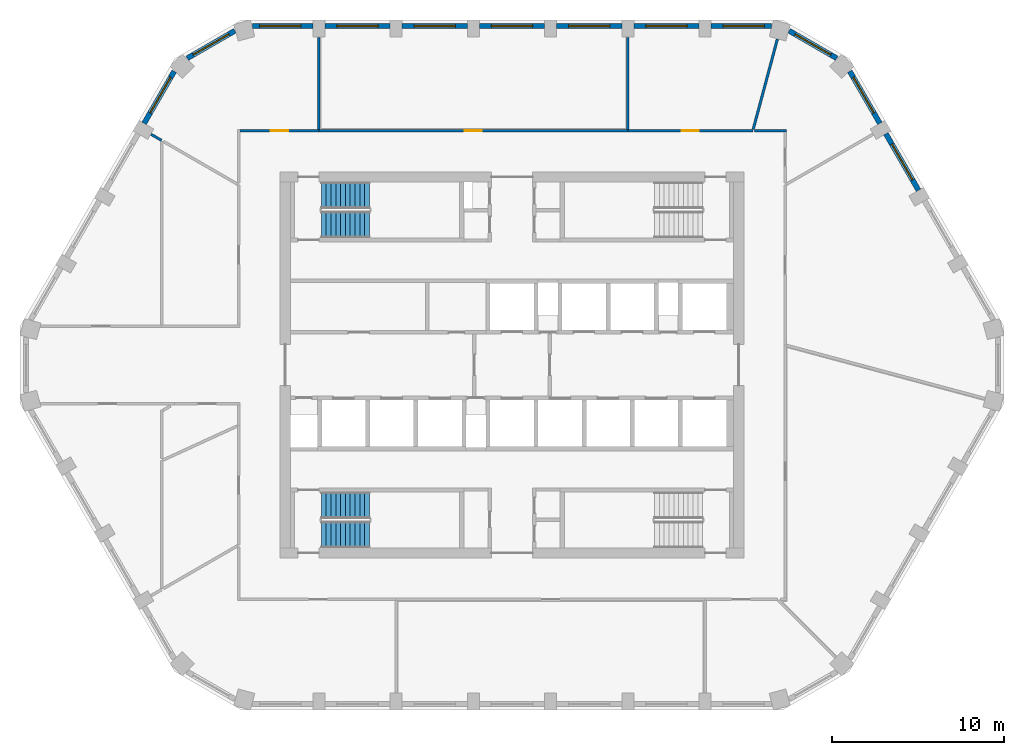
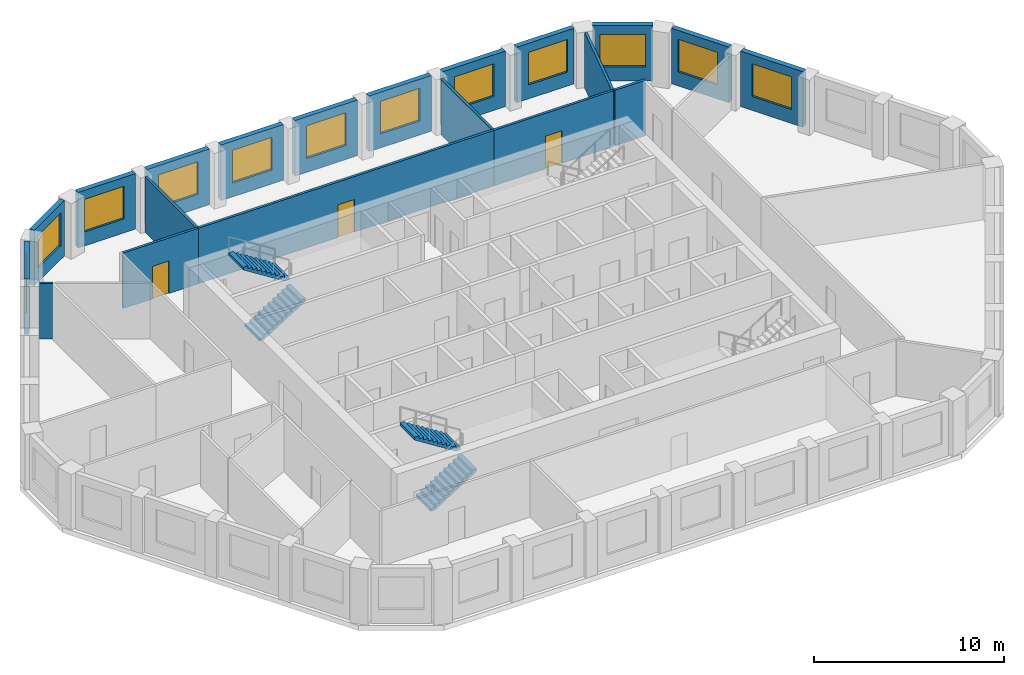
# One storey, part 6 of 10: 20 walls, 12 windows, 4 stair flights, 3 doors, 15 openings, 2 elements without a shape of their own.
"""IFC4 building model written with IfcOpenShell, lengths in metres."""

import ifcopenshell
import ifcopenshell.guid

model = None  # the IFC model being written
_history = None  # IfcOwnerHistory: only IFC2X3 demands one
_inside = {}  # id of a spatial element -> (the spatial element, [elements in it])
_under = {}  # id of a project, library or spatial element -> (it, [spatial elements below it])
_declared = {}  # id of a project -> (the project, [libraries it declares])
_typed = {}  # id of a type object -> (the type object, [elements of that type])
_made_of = {}  # id of a material, layer set ... -> (it, [elements and type objects made of it])


def new_model(schema):
    """Start an empty IFC model of exactly this schema.

    Asked for "IFC4X3", IfcOpenShell would pick the latest addendum, in which some entities
    have other attributes; the version numbers below select the first issue.
    IFC2X3 requires an IfcOwnerHistory on every rooted entity: one is made here for all.
    """
    global model, _history
    if schema == "IFC4X3":
        model = ifcopenshell.file(schema_version=(4, 3, 0, 0))
    else:
        model = ifcopenshell.file(schema=schema)
    _inside.clear()
    _under.clear()
    _declared.clear()
    _typed.clear()
    _made_of.clear()
    _history = None
    if model.schema == "IFC2X3":
        org = make("IfcOrganization", Name="unknown")
        user = make(
            "IfcPersonAndOrganization",
            ThePerson=make("IfcPerson", FamilyName="unknown"),
            TheOrganization=org,
        )
        app = make(
            "IfcApplication",
            ApplicationDeveloper=org,
            Version="unknown",
            ApplicationFullName="unknown",
            ApplicationIdentifier="unknown",
        )
        _history = make(
            "IfcOwnerHistory",
            OwningUser=user,
            OwningApplication=app,
            ChangeAction="ADDED",
            CreationDate=0,
        )
    return model


def make(cls, **values):
    """One entity of the class cls with the attributes given. An attribute that is None is left unset."""
    return model.create_entity(
        cls, **{name: value for name, value in values.items() if value is not None}
    )


def rooted(cls, **values):
    """An entity with a GlobalId (a new one), such as an element, a storey or a relation."""
    return make(cls, GlobalId=ifcopenshell.guid.new(), OwnerHistory=_history, **values)


def si_unit(unit_type, name, prefix=None):
    """IfcSIUnit, for example si_unit("LENGTHUNIT", "METRE", prefix="MILLI")."""
    return make("IfcSIUnit", UnitType=unit_type, Prefix=prefix, Name=name)


def assignment(units):
    """IfcUnitAssignment: the units of a project."""
    return None if units is None else make("IfcUnitAssignment", Units=units)


def point(xyz):
    """IfcCartesianPoint."""
    return None if xyz is None else make("IfcCartesianPoint", Coordinates=xyz)


def direction(xyz):
    """IfcDirection."""
    return None if xyz is None else make("IfcDirection", DirectionRatios=xyz)


def frame(location, z_axis=None, x_axis=None):
    """IfcAxis2Placement3D, a coordinate frame: its origin and axes. An axis left out is left unset."""
    return make(
        "IfcAxis2Placement3D",
        Location=point(location),
        Axis=direction(z_axis),
        RefDirection=direction(x_axis),
    )


def frame_2d(location, x_axis=None):
    """IfcAxis2Placement2D, a coordinate frame in the plane: its origin and x axis."""
    return make(
        "IfcAxis2Placement2D", Location=point(location), RefDirection=direction(x_axis)
    )


def origin():
    """The frame at (0, 0, 0) with its axes left unset."""
    return frame((0.0, 0.0, 0.0))


def place(relative_to, where):
    """IfcLocalPlacement: puts the frame where relative to a parent placement (None: the world)."""
    return make(
        "IfcLocalPlacement", PlacementRelTo=relative_to, RelativePlacement=where
    )


def context(
    kind, dimensions, precision=None, world=None, true_north=None, identifier=None
):
    """IfcGeometricRepresentationContext, for example the 3D "Model" context."""
    return make(
        "IfcGeometricRepresentationContext",
        ContextIdentifier=identifier,
        ContextType=kind,
        CoordinateSpaceDimension=dimensions,
        Precision=precision,
        WorldCoordinateSystem=world,
        TrueNorth=true_north,
    )


def subcontext(parent, identifier, kind, view, scale=None):
    """IfcGeometricRepresentationSubContext, for example "Body" below "Model"."""
    return make(
        "IfcGeometricRepresentationSubContext",
        ContextIdentifier=identifier,
        ContextType=kind,
        ParentContext=parent,
        TargetScale=scale,
        TargetView=view,
    )


def project(units=None, contexts=None):
    """IfcProject with its units and contexts."""
    return rooted(
        "IfcProject",
        Name="project",
        RepresentationContexts=contexts,
        UnitsInContext=assignment(units),
    )


def spatial(cls, under=None, at=None, **own):
    """A site, building, storey or space (cls), placed at a placement, below another one or the project."""
    s = rooted(cls, ObjectPlacement=at, **own)
    if under is not None:
        _under.setdefault(under.id(), (under, []))[1].append(s)
    return s


def polyline(points):
    """IfcPolyline through the points."""
    return make("IfcPolyline", Points=[point(p) for p in points])


def profile(cls, at=None, kind="AREA", **sizes):
    """A parametric profile (cls). Its sizes go by their IFC names, for example OverallWidth=200.0."""
    return make(cls, ProfileType=kind, Position=at, **sizes)


def rectangle(**sizes):
    """IfcRectangleProfileDef."""
    return profile("IfcRectangleProfileDef", **sizes)


def outline(outer, holes=None, kind="AREA"):
    """IfcArbitraryClosedProfileDef: a profile drawn as a closed curve; with holes, ...WithVoids."""
    if holes is None:
        return make("IfcArbitraryClosedProfileDef", ProfileType=kind, OuterCurve=outer)
    return make(
        "IfcArbitraryProfileDefWithVoids",
        ProfileType=kind,
        OuterCurve=outer,
        InnerCurves=holes,
    )


def extrude(swept, where, along, depth):
    """IfcExtrudedAreaSolid: the profile swept, set in the frame where, extruded along a direction by depth."""
    return make(
        "IfcExtrudedAreaSolid",
        SweptArea=swept,
        Position=where,
        ExtrudedDirection=direction(along),
        Depth=depth,
    )


def shape(context_of_items, identifier, shape_type, items):
    """IfcShapeRepresentation: the items that make up one representation, for example the "Body"."""
    return make(
        "IfcShapeRepresentation",
        ContextOfItems=context_of_items,
        RepresentationIdentifier=identifier,
        RepresentationType=shape_type,
        Items=items,
    )


def material(Name=None, Category=None):
    """IfcMaterial."""
    return make("IfcMaterial", Name=Name, Category=Category)


def layer(
    of_material, thickness, ventilated=None, Name=None, Category=None, Priority=None
):
    """IfcMaterialLayer: one layer of a wall or slab, of a material (None: an air gap)."""
    return make(
        "IfcMaterialLayer",
        Material=of_material,
        LayerThickness=thickness,
        IsVentilated=ventilated,
        Name=Name,
        Category=Category,
        Priority=Priority,
    )


def layer_set(layers, Name=None):
    """IfcMaterialLayerSet."""
    return make("IfcMaterialLayerSet", MaterialLayers=layers, LayerSetName=Name)


def made_of(thing, what):
    """Note that an element or type object is made of a material, layer set ...; save() writes the relation."""
    if what is not None:
        _made_of.setdefault(what.id(), (what, []))[1].append(thing)
    return thing


def type_object(cls, material=None, **own):
    """A type object (cls), such as IfcWallType, which elements share."""
    return made_of(rooted(cls, **own), material)


def element(
    cls,
    number,
    at=None,
    inside=None,
    cuts=None,
    type_object=None,
    material=None,
    context=None,
    identifier="Body",
    shape_type=None,
    held_by="IfcProductDefinitionShape",
    body=None,
    shapes=None,
    **own,
):
    """One element of the class cls, such as IfcWall. Its Tag is "e" and its number.

    at: its placement. inside: the storey or other place that contains it. cuts: it is an
    opening in that element (IfcRelVoidsElement). A single representation is given by context,
    identifier, shape_type and body (its items); several are given by shapes. held_by: the class
    of the entity that holds the representations. save() writes the other relations.
    """
    e = rooted(cls, Tag="e%d" % number, ObjectPlacement=at, **own)
    if body is not None:
        shapes = [shape(context, identifier, shape_type, body)]
    if shapes is not None:
        e.Representation = make(held_by, Representations=shapes)
    if inside is not None:
        _inside.setdefault(inside.id(), (inside, []))[1].append(e)
    if cuts is not None:
        rooted(
            "IfcRelVoidsElement", RelatingBuildingElement=cuts, RelatedOpeningElement=e
        )
    if type_object is not None:
        _typed.setdefault(type_object.id(), (type_object, []))[1].append(e)
    return made_of(e, material)


def fill(opening, filler):
    """IfcRelFillsElement: the door or window that sits in an opening."""
    return rooted(
        "IfcRelFillsElement",
        RelatingOpeningElement=opening,
        RelatedBuildingElement=filler,
    )


def aggregate(whole, parts):
    """IfcRelAggregates: a whole, such as a stair, and the parts it consists of."""
    return rooted("IfcRelAggregates", RelatingObject=whole, RelatedObjects=parts)


def save(model, path):
    """Write the relations noted so far, then the file.

    IfcRelAggregates (storeys below a building ...), IfcRelContainedInSpatialStructure (elements
    in a storey), IfcRelDefinesByType, IfcRelAssociatesMaterial and IfcRelDeclares: one each for
    every whole, place, type object, material and project.
    """
    for whole, parts in _under.values():
        aggregate(whole, parts)
    for where, things in _inside.values():
        rooted(
            "IfcRelContainedInSpatialStructure",
            RelatedElements=things,
            RelatingStructure=where,
        )
    for kind, things in _typed.values():
        rooted("IfcRelDefinesByType", RelatedObjects=things, RelatingType=kind)
    for what, things in _made_of.values():
        rooted("IfcRelAssociatesMaterial", RelatedObjects=things, RelatingMaterial=what)
    for by, libraries in _declared.values():
        rooted("IfcRelDeclares", RelatingContext=by, RelatedDefinitions=libraries)
    model.write(path)


model = new_model("IFC4")

# Units and contexts
model_context = context("Model", 3, precision=1e-05, world=origin(), true_north=direction((0.0, 1.0)))
body_context = subcontext(model_context, "Body", "Model", "MODEL_VIEW")
ifc_project = project(units=[si_unit("LENGTHUNIT", "METRE"), si_unit("AREAUNIT", "SQUARE_METRE"), si_unit("VOLUMEUNIT", "CUBIC_METRE"), si_unit("PLANEANGLEUNIT", "RADIAN"), si_unit("MASSUNIT", "GRAM", prefix="KILO")], contexts=[model_context])

# Site, building, storey
site_placement = place(None, origin())
site = spatial("IfcSite", under=ifc_project, at=site_placement, CompositionType="ELEMENT")
building_placement = place(site_placement, origin())
building = spatial("IfcBuilding", under=site, at=building_placement, Name="Dhurran Vertical Campus", CompositionType="ELEMENT")
storey_placement = place(building_placement, frame((0.0, 0.0, 239.10009765625)))
storey = spatial("IfcBuildingStorey", under=building, at=storey_placement, Name="L59", CompositionType="ELEMENT", Elevation=239.10009765625)

# Wall, opening, window
ifc_material_1 = material(Name="Precast concrete C50/60", Category="concrete")
ifc_layer_1 = layer(ifc_material_1, 0.300048828125)
ifc_layer_set_1 = layer_set([ifc_layer_1], Name="Precast concrete C50/60")
wall_type_1 = type_object("IfcWallType", Name="Precast spandrel wall 300", PredefinedType="SOLIDWALL", material=ifc_layer_set_1)
wall_1_placement = place(storey_placement, frame((23.668701171875, 10.1728515625, 0.0), z_axis=(0.0, 0.0, 1.0), x_axis=(-0.499982058975, 0.866035761792, 0.0)))
wall_1 = element("IfcWall", 1, at=wall_1_placement, inside=storey, type_object=wall_type_1, Name="EW1 L59.15", PredefinedType="SOLIDWALL", context=body_context, shape_type="SweptSolid", body=[
    extrude(rectangle(XDim=3.799072265625, YDim=0.300048828125, at=frame_2d((1.8994140625, 0.0))), origin(), (0.0, 0.0, 1.0), 3.574951171875),
])
opening_1_placement = place(wall_1_placement, frame((0.699462890625, 0.0, 0.89990234375)))
opening_1 = element("IfcOpeningElement", 2, at=opening_1_placement, cuts=wall_1, Name="Opening WT1", PredefinedType="OPENING", context=body_context, shape_type="SweptSolid", body=[
    extrude(rectangle(XDim=2.39990234375, YDim=2.10009765625, at=frame_2d((1.199951171875, 1.050048828125))), frame((0.0, 0.159912109375, 0.0), z_axis=(0.0, -1.0, 0.0), x_axis=(1.0, 0.0, 0.0)), (0.0, 0.0, 1.0), 0.320068359375),
])
ifc_material_2 = material(Name="Aluminium frame with solar-control glass", Category="aluminium")
window_type = type_object("IfcWindowType", Name="Punched window 2400 x 2100", PartitioningType="SINGLE_PANEL", PredefinedType="WINDOW", material=ifc_material_2)
window_1_placement = place(opening_1_placement, origin())
window_1 = element("IfcWindow", 3, at=window_1_placement, inside=storey, type_object=window_type, Name="WT1 L59.15", OverallHeight=2.10009765625, OverallWidth=2.39990234375, PartitioningType="SINGLE_PANEL", PredefinedType="WINDOW", context=body_context, shape_type="SweptSolid", body=[
    extrude(rectangle(XDim=2.39990234375, YDim=2.10009765625, at=frame_2d((1.199951171875, 1.050048828125))), frame((0.0, 0.030029296875, 0.0), z_axis=(0.0, -1.0, 0.0), x_axis=(1.0, 0.0, 0.0)), (0.0, 0.0, 1.0), 0.06005859375),
])
fill(opening_1, window_1)

wall_2_placement = place(storey_placement, frame((21.418701171875, 14.06982421875, 0.0), z_axis=(0.0, 0.0, 1.0), x_axis=(-0.499960102815, 0.866048437209, 0.0)))
wall_2 = element("IfcWall", 4, at=wall_2_placement, inside=storey, type_object=wall_type_1, Name="EW1 L59.16", PredefinedType="SOLIDWALL", context=body_context, shape_type="SweptSolid", body=[
    extrude(rectangle(XDim=3.497802734375, YDim=0.300048828125, at=frame_2d((1.7490234375, 0.0))), origin(), (0.0, 0.0, 1.0), 3.574951171875),
])
opening_2_placement = place(wall_2_placement, frame((0.699462890625, 0.0, 0.89990234375)))
opening_2 = element("IfcOpeningElement", 5, at=opening_2_placement, cuts=wall_2, Name="Opening WT1", PredefinedType="OPENING", context=body_context, shape_type="SweptSolid", body=[
    extrude(rectangle(XDim=2.39990234375, YDim=2.10009765625, at=frame_2d((1.199951171875, 1.050048828125))), frame((0.0, 0.159912109375, 0.0), z_axis=(0.0, -1.0, 0.0), x_axis=(1.0, 0.0, 0.0)), (0.0, 0.0, 1.0), 0.320068359375),
])
window_2_placement = place(opening_2_placement, origin())
window_2 = element("IfcWindow", 6, at=window_2_placement, inside=storey, type_object=window_type, Name="WT1 L59.16", OverallHeight=2.10009765625, OverallWidth=2.39990234375, PartitioningType="SINGLE_PANEL", PredefinedType="WINDOW", context=body_context, shape_type="SweptSolid", body=[
    extrude(rectangle(XDim=2.39990234375, YDim=2.10009765625, at=frame_2d((1.199951171875, 1.050048828125))), frame((0.0, 0.030029296875, 0.0), z_axis=(0.0, -1.0, 0.0), x_axis=(1.0, 0.0, 0.0)), (0.0, 0.0, 1.0), 0.06005859375),
])
fill(opening_2, window_2)

wall_3_placement = place(storey_placement, frame((18.90771484375, 17.861328125, 0.0), z_axis=(0.0, 0.0, 1.0), x_axis=(-0.866025316205, 0.500000151692, 0.0)))
wall_3 = element("IfcWall", 7, at=wall_3_placement, inside=storey, type_object=wall_type_1, Name="EW1 L59.17", PredefinedType="SOLIDWALL", context=body_context, shape_type="SweptSolid", body=[
    extrude(rectangle(XDim=3.1962890625, YDim=0.300048828125, at=frame_2d((1.59814453125, 0.0))), origin(), (0.0, 0.0, 1.0), 3.574951171875),
])
opening_3_placement = place(wall_3_placement, frame((0.398193359375, 0.0, 0.89990234375)))
opening_3 = element("IfcOpeningElement", 8, at=opening_3_placement, cuts=wall_3, Name="Opening WT1", PredefinedType="OPENING", context=body_context, shape_type="SweptSolid", body=[
    extrude(rectangle(XDim=2.39990234375, YDim=2.10009765625, at=frame_2d((1.199951171875, 1.050048828125))), frame((0.0, 0.159912109375, 0.0), z_axis=(0.0, -1.0, 0.0), x_axis=(1.0, 0.0, 0.0)), (0.0, 0.0, 1.0), 0.320068359375),
])
window_3_placement = place(opening_3_placement, origin())
window_3 = element("IfcWindow", 9, at=window_3_placement, inside=storey, type_object=window_type, Name="WT1 L59.17", OverallHeight=2.10009765625, OverallWidth=2.39990234375, PartitioningType="SINGLE_PANEL", PredefinedType="WINDOW", context=body_context, shape_type="SweptSolid", body=[
    extrude(rectangle(XDim=2.39990234375, YDim=2.10009765625, at=frame_2d((1.199951171875, 1.050048828125))), frame((0.0, 0.030029296875, 0.0), z_axis=(0.0, -1.0, 0.0), x_axis=(1.0, 0.0, 0.0)), (0.0, 0.0, 1.0), 0.06005859375),
])
fill(opening_3, window_3)

wall_4_placement = place(storey_placement, frame((15.09814453125, 19.738525390625, 0.0), z_axis=(0.0, 0.0, 1.0), x_axis=(-1.0, 0.0, 0.0)))
wall_4 = element("IfcWall", 10, at=wall_4_placement, inside=storey, type_object=wall_type_1, Name="EW1 L59.18", PredefinedType="SOLIDWALL", context=body_context, shape_type="SweptSolid", body=[
    extrude(rectangle(XDim=3.49755859375, YDim=0.300048828125, at=frame_2d((1.748779296875, 0.0))), origin(), (0.0, 0.0, 1.0), 3.574951171875),
])
opening_4_placement = place(wall_4_placement, frame((0.398193359375, 0.0, 0.89990234375)))
opening_4 = element("IfcOpeningElement", 11, at=opening_4_placement, cuts=wall_4, Name="Opening WT1", PredefinedType="OPENING", context=body_context, shape_type="SweptSolid", body=[
    extrude(rectangle(XDim=2.39990234375, YDim=2.10009765625, at=frame_2d((1.199951171875, 1.050048828125))), frame((0.0, 0.159912109375, 0.0), z_axis=(0.0, -1.0, 0.0), x_axis=(1.0, 0.0, 0.0)), (0.0, 0.0, 1.0), 0.320068359375),
])
window_4_placement = place(opening_4_placement, origin())
window_4 = element("IfcWindow", 12, at=window_4_placement, inside=storey, type_object=window_type, Name="WT1 L59.18", OverallHeight=2.10009765625, OverallWidth=2.39990234375, PartitioningType="SINGLE_PANEL", PredefinedType="WINDOW", context=body_context, shape_type="SweptSolid", body=[
    extrude(rectangle(XDim=2.39990234375, YDim=2.10009765625, at=frame_2d((1.199951171875, 1.050048828125))), frame((0.0, 0.030029296875, 0.0), z_axis=(0.0, -1.0, 0.0), x_axis=(1.0, 0.0, 0.0)), (0.0, 0.0, 1.0), 0.06005859375),
])
fill(opening_4, window_4)

wall_5_placement = place(storey_placement, frame((10.8994140625, 19.738525390625, 0.0), z_axis=(0.0, 0.0, 1.0), x_axis=(-1.0, 0.0, 0.0)))
wall_5 = element("IfcWall", 13, at=wall_5_placement, inside=storey, type_object=wall_type_1, Name="EW1 L59.19", PredefinedType="SOLIDWALL", context=body_context, shape_type="SweptSolid", body=[
    extrude(rectangle(XDim=3.798828125, YDim=0.300048828125, at=frame_2d((1.8994140625, 0.0))), origin(), (0.0, 0.0, 1.0), 3.574951171875),
])
opening_5_placement = place(wall_5_placement, frame((0.699462890625, 0.0, 0.89990234375)))
opening_5 = element("IfcOpeningElement", 14, at=opening_5_placement, cuts=wall_5, Name="Opening WT1", PredefinedType="OPENING", context=body_context, shape_type="SweptSolid", body=[
    extrude(rectangle(XDim=2.39990234375, YDim=2.10009765625, at=frame_2d((1.199951171875, 1.050048828125))), frame((0.0, 0.159912109375, 0.0), z_axis=(0.0, -1.0, 0.0), x_axis=(1.0, 0.0, 0.0)), (0.0, 0.0, 1.0), 0.320068359375),
])
window_5_placement = place(opening_5_placement, origin())
window_5 = element("IfcWindow", 15, at=window_5_placement, inside=storey, type_object=window_type, Name="WT1 L59.19", OverallHeight=2.10009765625, OverallWidth=2.39990234375, PartitioningType="SINGLE_PANEL", PredefinedType="WINDOW", context=body_context, shape_type="SweptSolid", body=[
    extrude(rectangle(XDim=2.39990234375, YDim=2.10009765625, at=frame_2d((1.199951171875, 1.050048828125))), frame((0.0, 0.030029296875, 0.0), z_axis=(0.0, -1.0, 0.0), x_axis=(1.0, 0.0, 0.0)), (0.0, 0.0, 1.0), 0.06005859375),
])
fill(opening_5, window_5)

wall_6_placement = place(storey_placement, frame((6.3994140625, 19.738525390625, 0.0), z_axis=(0.0, 0.0, 1.0), x_axis=(-1.0, 0.0, 0.0)))
wall_6 = element("IfcWall", 16, at=wall_6_placement, inside=storey, type_object=wall_type_1, Name="EW1 L59.20", PredefinedType="SOLIDWALL", context=body_context, shape_type="SweptSolid", body=[
    extrude(rectangle(XDim=3.798828125, YDim=0.300048828125, at=frame_2d((1.8994140625, 0.0))), origin(), (0.0, 0.0, 1.0), 3.574951171875),
])
opening_6_placement = place(wall_6_placement, frame((0.699462890625, 0.0, 0.89990234375)))
opening_6 = element("IfcOpeningElement", 17, at=opening_6_placement, cuts=wall_6, Name="Opening WT1", PredefinedType="OPENING", context=body_context, shape_type="SweptSolid", body=[
    extrude(rectangle(XDim=2.39990234375, YDim=2.10009765625, at=frame_2d((1.199951171875, 1.050048828125))), frame((0.0, 0.159912109375, 0.0), z_axis=(0.0, -1.0, 0.0), x_axis=(1.0, 0.0, 0.0)), (0.0, 0.0, 1.0), 0.320068359375),
])
window_6_placement = place(opening_6_placement, origin())
window_6 = element("IfcWindow", 18, at=window_6_placement, inside=storey, type_object=window_type, Name="WT1 L59.20", OverallHeight=2.10009765625, OverallWidth=2.39990234375, PartitioningType="SINGLE_PANEL", PredefinedType="WINDOW", context=body_context, shape_type="SweptSolid", body=[
    extrude(rectangle(XDim=2.39990234375, YDim=2.10009765625, at=frame_2d((1.199951171875, 1.050048828125))), frame((0.0, 0.030029296875, 0.0), z_axis=(0.0, -1.0, 0.0), x_axis=(1.0, 0.0, 0.0)), (0.0, 0.0, 1.0), 0.06005859375),
])
fill(opening_6, window_6)

wall_7_placement = place(storey_placement, frame((1.8994140625, 19.738525390625, 0.0), z_axis=(0.0, 0.0, 1.0), x_axis=(-1.0, 0.0, 0.0)))
wall_7 = element("IfcWall", 19, at=wall_7_placement, inside=storey, type_object=wall_type_1, Name="EW1 L59.21", PredefinedType="SOLIDWALL", context=body_context, shape_type="SweptSolid", body=[
    extrude(rectangle(XDim=3.798828125, YDim=0.300048828125, at=frame_2d((1.8994140625, 0.0))), origin(), (0.0, 0.0, 1.0), 3.574951171875),
])
opening_7_placement = place(wall_7_placement, frame((0.699462890625, 0.0, 0.89990234375)))
opening_7 = element("IfcOpeningElement", 20, at=opening_7_placement, cuts=wall_7, Name="Opening WT1", PredefinedType="OPENING", context=body_context, shape_type="SweptSolid", body=[
    extrude(rectangle(XDim=2.39990234375, YDim=2.10009765625, at=frame_2d((1.199951171875, 1.050048828125))), frame((0.0, 0.159912109375, 0.0), z_axis=(0.0, -1.0, 0.0), x_axis=(1.0, 0.0, 0.0)), (0.0, 0.0, 1.0), 0.320068359375),
])
window_7_placement = place(opening_7_placement, origin())
window_7 = element("IfcWindow", 21, at=window_7_placement, inside=storey, type_object=window_type, Name="WT1 L59.21", OverallHeight=2.10009765625, OverallWidth=2.39990234375, PartitioningType="SINGLE_PANEL", PredefinedType="WINDOW", context=body_context, shape_type="SweptSolid", body=[
    extrude(rectangle(XDim=2.39990234375, YDim=2.10009765625, at=frame_2d((1.199951171875, 1.050048828125))), frame((0.0, 0.030029296875, 0.0), z_axis=(0.0, -1.0, 0.0), x_axis=(1.0, 0.0, 0.0)), (0.0, 0.0, 1.0), 0.06005859375),
])
fill(opening_7, window_7)

wall_8_placement = place(storey_placement, frame((-2.6005859375, 19.738525390625, 0.0), z_axis=(0.0, 0.0, 1.0), x_axis=(-1.0, 0.0, 0.0)))
wall_8 = element("IfcWall", 22, at=wall_8_placement, inside=storey, type_object=wall_type_1, Name="EW1 L59.22", PredefinedType="SOLIDWALL", context=body_context, shape_type="SweptSolid", body=[
    extrude(rectangle(XDim=3.798828125, YDim=0.300048828125, at=frame_2d((1.8994140625, 0.0))), origin(), (0.0, 0.0, 1.0), 3.574951171875),
])
opening_8_placement = place(wall_8_placement, frame((0.699462890625, 0.0, 0.89990234375)))
opening_8 = element("IfcOpeningElement", 23, at=opening_8_placement, cuts=wall_8, Name="Opening WT1", PredefinedType="OPENING", context=body_context, shape_type="SweptSolid", body=[
    extrude(rectangle(XDim=2.39990234375, YDim=2.10009765625, at=frame_2d((1.199951171875, 1.050048828125))), frame((0.0, 0.159912109375, 0.0), z_axis=(0.0, -1.0, 0.0), x_axis=(1.0, 0.0, 0.0)), (0.0, 0.0, 1.0), 0.320068359375),
])
window_8_placement = place(opening_8_placement, origin())
window_8 = element("IfcWindow", 24, at=window_8_placement, inside=storey, type_object=window_type, Name="WT1 L59.22", OverallHeight=2.10009765625, OverallWidth=2.39990234375, PartitioningType="SINGLE_PANEL", PredefinedType="WINDOW", context=body_context, shape_type="SweptSolid", body=[
    extrude(rectangle(XDim=2.39990234375, YDim=2.10009765625, at=frame_2d((1.199951171875, 1.050048828125))), frame((0.0, 0.030029296875, 0.0), z_axis=(0.0, -1.0, 0.0), x_axis=(1.0, 0.0, 0.0)), (0.0, 0.0, 1.0), 0.06005859375),
])
fill(opening_8, window_8)

wall_9_placement = place(storey_placement, frame((-7.1005859375, 19.738525390625, 0.0), z_axis=(0.0, 0.0, 1.0), x_axis=(-1.0, 0.0, 0.0)))
wall_9 = element("IfcWall", 25, at=wall_9_placement, inside=storey, type_object=wall_type_1, Name="EW1 L59.23", PredefinedType="SOLIDWALL", context=body_context, shape_type="SweptSolid", body=[
    extrude(rectangle(XDim=3.798828125, YDim=0.300048828125, at=frame_2d((1.8994140625, 0.0))), origin(), (0.0, 0.0, 1.0), 3.574951171875),
])
opening_9_placement = place(wall_9_placement, frame((0.699462890625, 0.0, 0.89990234375)))
opening_9 = element("IfcOpeningElement", 26, at=opening_9_placement, cuts=wall_9, Name="Opening WT1", PredefinedType="OPENING", context=body_context, shape_type="SweptSolid", body=[
    extrude(rectangle(XDim=2.39990234375, YDim=2.10009765625, at=frame_2d((1.199951171875, 1.050048828125))), frame((0.0, 0.159912109375, 0.0), z_axis=(0.0, -1.0, 0.0), x_axis=(1.0, 0.0, 0.0)), (0.0, 0.0, 1.0), 0.320068359375),
])
window_9_placement = place(opening_9_placement, origin())
window_9 = element("IfcWindow", 27, at=window_9_placement, inside=storey, type_object=window_type, Name="WT1 L59.23", OverallHeight=2.10009765625, OverallWidth=2.39990234375, PartitioningType="SINGLE_PANEL", PredefinedType="WINDOW", context=body_context, shape_type="SweptSolid", body=[
    extrude(rectangle(XDim=2.39990234375, YDim=2.10009765625, at=frame_2d((1.199951171875, 1.050048828125))), frame((0.0, 0.030029296875, 0.0), z_axis=(0.0, -1.0, 0.0), x_axis=(1.0, 0.0, 0.0)), (0.0, 0.0, 1.0), 0.06005859375),
])
fill(opening_9, window_9)

wall_10_placement = place(storey_placement, frame((-11.6005859375, 19.738525390625, 0.0), z_axis=(0.0, 0.0, 1.0), x_axis=(-1.0, 0.0, 0.0)))
wall_10 = element("IfcWall", 28, at=wall_10_placement, inside=storey, type_object=wall_type_1, Name="EW1 L59.24", PredefinedType="SOLIDWALL", context=body_context, shape_type="SweptSolid", body=[
    extrude(rectangle(XDim=3.49755859375, YDim=0.300048828125, at=frame_2d((1.748779296875, 0.0))), origin(), (0.0, 0.0, 1.0), 3.574951171875),
])
opening_10_placement = place(wall_10_placement, frame((0.699462890625, 0.0, 0.89990234375)))
opening_10 = element("IfcOpeningElement", 29, at=opening_10_placement, cuts=wall_10, Name="Opening WT1", PredefinedType="OPENING", context=body_context, shape_type="SweptSolid", body=[
    extrude(rectangle(XDim=2.39990234375, YDim=2.10009765625, at=frame_2d((1.199951171875, 1.050048828125))), frame((0.0, 0.159912109375, 0.0), z_axis=(0.0, -1.0, 0.0), x_axis=(1.0, 0.0, 0.0)), (0.0, 0.0, 1.0), 0.320068359375),
])
window_10_placement = place(opening_10_placement, origin())
window_10 = element("IfcWindow", 30, at=window_10_placement, inside=storey, type_object=window_type, Name="WT1 L59.24", OverallHeight=2.10009765625, OverallWidth=2.39990234375, PartitioningType="SINGLE_PANEL", PredefinedType="WINDOW", context=body_context, shape_type="SweptSolid", body=[
    extrude(rectangle(XDim=2.39990234375, YDim=2.10009765625, at=frame_2d((1.199951171875, 1.050048828125))), frame((0.0, 0.030029296875, 0.0), z_axis=(0.0, -1.0, 0.0), x_axis=(1.0, 0.0, 0.0)), (0.0, 0.0, 1.0), 0.06005859375),
])
fill(opening_10, window_10)

wall_11_placement = place(storey_placement, frame((-16.1396484375, 19.45947265625, 0.0), z_axis=(0.0, 0.0, 1.0), x_axis=(-0.866025316205, -0.500000151692, 0.0)))
wall_11 = element("IfcWall", 31, at=wall_11_placement, inside=storey, type_object=wall_type_1, Name="EW1 L59.25", PredefinedType="SOLIDWALL", context=body_context, shape_type="SweptSolid", body=[
    extrude(rectangle(XDim=3.1962890625, YDim=0.300048828125, at=frame_2d((1.59814453125, 0.0))), origin(), (0.0, 0.0, 1.0), 3.574951171875),
])
opening_11_placement = place(wall_11_placement, frame((0.398193359375, 0.0, 0.89990234375)))
opening_11 = element("IfcOpeningElement", 32, at=opening_11_placement, cuts=wall_11, Name="Opening WT1", PredefinedType="OPENING", context=body_context, shape_type="SweptSolid", body=[
    extrude(rectangle(XDim=2.39990234375, YDim=2.10009765625, at=frame_2d((1.199951171875, 1.050048828125))), frame((0.0, 0.159912109375, 0.0), z_axis=(0.0, -1.0, 0.0), x_axis=(1.0, 0.0, 0.0)), (0.0, 0.0, 1.0), 0.320068359375),
])
window_11_placement = place(opening_11_placement, origin())
window_11 = element("IfcWindow", 33, at=window_11_placement, inside=storey, type_object=window_type, Name="WT1 L59.25", OverallHeight=2.10009765625, OverallWidth=2.39990234375, PartitioningType="SINGLE_PANEL", PredefinedType="WINDOW", context=body_context, shape_type="SweptSolid", body=[
    extrude(rectangle(XDim=2.39990234375, YDim=2.10009765625, at=frame_2d((1.199951171875, 1.050048828125))), frame((0.0, 0.030029296875, 0.0), z_axis=(0.0, -1.0, 0.0), x_axis=(1.0, 0.0, 0.0)), (0.0, 0.0, 1.0), 0.06005859375),
])
fill(opening_11, window_11)

wall_12_placement = place(storey_placement, frame((-19.669921875, 17.09912109375, 0.0), z_axis=(0.0, 0.0, 1.0), x_axis=(-0.499960102815, -0.866048437209, 0.0)))
wall_12 = element("IfcWall", 34, at=wall_12_placement, inside=storey, type_object=wall_type_1, Name="EW1 L59.26", PredefinedType="SOLIDWALL", context=body_context, shape_type="SweptSolid", body=[
    extrude(rectangle(XDim=3.497802734375, YDim=0.300048828125, at=frame_2d((1.7490234375, 0.0))), origin(), (0.0, 0.0, 1.0), 3.574951171875),
])
opening_12_placement = place(wall_12_placement, frame((0.398193359375, 0.0, 0.89990234375)))
opening_12 = element("IfcOpeningElement", 35, at=opening_12_placement, cuts=wall_12, Name="Opening WT1", PredefinedType="OPENING", context=body_context, shape_type="SweptSolid", body=[
    extrude(rectangle(XDim=2.39990234375, YDim=2.10009765625, at=frame_2d((1.199951171875, 1.050048828125))), frame((0.0, 0.159912109375, 0.0), z_axis=(0.0, -1.0, 0.0), x_axis=(1.0, 0.0, 0.0)), (0.0, 0.0, 1.0), 0.320068359375),
])
window_12_placement = place(opening_12_placement, origin())
window_12 = element("IfcWindow", 36, at=window_12_placement, inside=storey, type_object=window_type, Name="WT1 L59.26", OverallHeight=2.10009765625, OverallWidth=2.39990234375, PartitioningType="SINGLE_PANEL", PredefinedType="WINDOW", context=body_context, shape_type="SweptSolid", body=[
    extrude(rectangle(XDim=2.39990234375, YDim=2.10009765625, at=frame_2d((1.199951171875, 1.050048828125))), frame((0.0, 0.030029296875, 0.0), z_axis=(0.0, -1.0, 0.0), x_axis=(1.0, 0.0, 0.0)), (0.0, 0.0, 1.0), 0.06005859375),
])
fill(opening_12, window_12)

# Wall, opening, door
ifc_material_3 = material(Name="Gypsum board corridor wall on steel studs", Category="steel")
ifc_layer_2 = layer(ifc_material_3, 0.14990234375)
ifc_layer_set_2 = layer_set([ifc_layer_2], Name="Gypsum board corridor wall on steel studs")
wall_type_2 = type_object("IfcWallType", Name="fl-CW-150 corridor wall", PredefinedType="PARTITIONING", material=ifc_layer_set_2)
wall_13_placement = place(storey_placement, frame((-11.25, 13.64990234375, 0.0), z_axis=(0.0, 0.0, 1.0), x_axis=(-1.0, 0.0, 0.0)))
wall_13 = element("IfcWall", 37, at=wall_13_placement, inside=storey, type_object=wall_type_2, Name="Partition 59-20", PredefinedType="PARTITIONING", context=body_context, shape_type="SweptSolid", body=[
    extrude(rectangle(XDim=4.574951171875, YDim=0.14990234375, at=frame_2d((2.28759765625, 0.0))), origin(), (0.0, 0.0, 1.0), 3.574951171875),
])
opening_13_placement = place(wall_13_placement, frame((1.78759765625, 0.0, 0.0)))
opening_13 = element("IfcOpeningElement", 38, at=opening_13_placement, cuts=wall_13, Name="Opening T17.06", PredefinedType="OPENING", context=body_context, shape_type="SweptSolid", body=[
    extrude(rectangle(XDim=1.0, YDim=2.10009765625, at=frame_2d((0.5, 1.050048828125))), frame((0.0, 0.0849609375, 0.0), z_axis=(0.0, -1.0, 0.0), x_axis=(1.0, 0.0, 0.0)), (0.0, 0.0, 1.0), 0.169921875),
])
ifc_material_4 = material(Name="Solid-core timber door set, fire-rated", Category="wood")
door_type = type_object("IfcDoorType", Name="fl-D-1000x2100", OperationType="SINGLE_SWING_LEFT", PredefinedType="DOOR", material=ifc_material_4)
door_1_placement = place(opening_13_placement, origin())
door_1 = element("IfcDoor", 39, at=door_1_placement, inside=storey, type_object=door_type, Name="Door 59.06", OperationType="SINGLE_SWING_LEFT", OverallHeight=2.10009765625, OverallWidth=1.0, PredefinedType="DOOR", context=body_context, shape_type="SweptSolid", body=[
    extrude(rectangle(XDim=1.0, YDim=2.10009765625, at=frame_2d((0.5, 1.050048828125))), frame((0.0, 0.02490234375, 0.0), z_axis=(0.0, -1.0, 0.0), x_axis=(1.0, 0.0, 0.0)), (0.0, 0.0, 1.0), 0.050048828125),
])
fill(opening_13, door_1)

wall_14_placement = place(storey_placement, frame((6.75, 13.64990234375, 0.0), z_axis=(0.0, 0.0, 1.0), x_axis=(-1.0, 0.0, 0.0)))
wall_14 = element("IfcWall", 40, at=wall_14_placement, inside=storey, type_object=wall_type_2, Name="Partition 59-22", PredefinedType="PARTITIONING", context=body_context, shape_type="SweptSolid", body=[
    extrude(rectangle(XDim=18.0, YDim=0.14990234375, at=frame_2d((9.0, 0.0))), origin(), (0.0, 0.0, 1.0), 3.574951171875),
])
opening_14_placement = place(wall_14_placement, frame((8.5, 0.0, 0.0)))
opening_14 = element("IfcOpeningElement", 41, at=opening_14_placement, cuts=wall_14, Name="Opening T17.08", PredefinedType="OPENING", context=body_context, shape_type="SweptSolid", body=[
    extrude(rectangle(XDim=1.0, YDim=2.10009765625, at=frame_2d((0.5, 1.050048828125))), frame((0.0, 0.0849609375, 0.0), z_axis=(0.0, -1.0, 0.0), x_axis=(1.0, 0.0, 0.0)), (0.0, 0.0, 1.0), 0.169921875),
])
door_2_placement = place(opening_14_placement, origin())
door_2 = element("IfcDoor", 42, at=door_2_placement, inside=storey, type_object=door_type, Name="Door 59.08", OperationType="SINGLE_SWING_RIGHT", OverallHeight=2.10009765625, OverallWidth=1.0, PredefinedType="DOOR", context=body_context, shape_type="SweptSolid", body=[
    extrude(rectangle(XDim=1.0, YDim=2.10009765625, at=frame_2d((0.5, 1.050048828125))), frame((0.0, 0.02490234375, 0.0), z_axis=(0.0, -1.0, 0.0), x_axis=(1.0, 0.0, 0.0)), (0.0, 0.0, 1.0), 0.050048828125),
])
fill(opening_14, door_2)

wall_15_placement = place(storey_placement, frame((14.02490234375, 13.64990234375, 0.0), z_axis=(0.0, 0.0, 1.0), x_axis=(-1.0, 0.0, 0.0)))
wall_15 = element("IfcWall", 43, at=wall_15_placement, inside=storey, type_object=wall_type_2, Name="Partition 59-26", PredefinedType="PARTITIONING", context=body_context, shape_type="SweptSolid", body=[
    extrude(rectangle(XDim=7.27490234375, YDim=0.14990234375, at=frame_2d((3.637451171875, 0.0))), origin(), (0.0, 0.0, 1.0), 3.574951171875),
])
opening_15_placement = place(wall_15_placement, frame((3.137451171875, 0.0, 0.0)))
opening_15 = element("IfcOpeningElement", 44, at=opening_15_placement, cuts=wall_15, Name="Opening T17.10", PredefinedType="OPENING", context=body_context, shape_type="SweptSolid", body=[
    extrude(rectangle(XDim=1.0, YDim=2.10009765625, at=frame_2d((0.5, 1.050048828125))), frame((0.0, 0.0849609375, 0.0), z_axis=(0.0, -1.0, 0.0), x_axis=(1.0, 0.0, 0.0)), (0.0, 0.0, 1.0), 0.169921875),
])
door_3_placement = place(opening_15_placement, origin())
door_3 = element("IfcDoor", 45, at=door_3_placement, inside=storey, type_object=door_type, Name="Door 59.10", OperationType="SINGLE_SWING_RIGHT", OverallHeight=2.10009765625, OverallWidth=1.0, PredefinedType="DOOR", context=body_context, shape_type="SweptSolid", body=[
    extrude(rectangle(XDim=1.0, YDim=2.10009765625, at=frame_2d((0.5, 1.050048828125))), frame((0.0, 0.02490234375, 0.0), z_axis=(0.0, -1.0, 0.0), x_axis=(1.0, 0.0, 0.0)), (0.0, 0.0, 1.0), 0.050048828125),
])
fill(opening_15, door_3)

# Walls
wall_16_placement = place(storey_placement, frame((15.97509765625, 13.64990234375, 0.0), z_axis=(0.0, 0.0, 1.0), x_axis=(-1.0, 0.0, 0.0)))
element("IfcWall", 46, at=wall_16_placement, inside=storey, type_object=wall_type_2, Name="Partition 59-30", PredefinedType="PARTITIONING", context=body_context, shape_type="SweptSolid", body=[
    extrude(rectangle(XDim=1.85498046875, YDim=0.14990234375, at=frame_2d((0.927490234375, 0.0))), origin(), (0.0, 0.0, 1.0), 3.574951171875),
])
ifc_material_5 = material(Name="Gypsum board partition on steel studs", Category="steel")
ifc_layer_3 = layer(ifc_material_5, 0.14990234375)
ifc_layer_set_3 = layer_set([ifc_layer_3], Name="Gypsum board partition on steel studs")
wall_type_3 = type_object("IfcWallType", Name="fl-PW-150 fixed partition", PredefinedType="PARTITIONING", material=ifc_layer_set_3)
wall_17_placement = place(storey_placement, frame((-21.013916015625, 13.431396484375, 0.0), z_axis=(0.0, 0.0, 1.0), x_axis=(0.866030760678, -0.499990721473, 0.0)))
element("IfcWall", 47, at=wall_17_placement, inside=storey, type_object=wall_type_3, Name="Partition 59-04", PredefinedType="PARTITIONING", context=body_context, shape_type="SweptSolid", body=[
    extrude(rectangle(XDim=0.708984375, YDim=0.14990234375, at=frame_2d((0.3544921875, 0.0))), origin(), (0.0, 0.0, 1.0), 3.574951171875),
])
for number, where, z_axis, x_axis, name in (
    (48, (-11.25, 19.068603515625, 0.0), (0.0, 0.0, 1.0), (0.0, -1.0, 0.0), "Partition 59-21"),
    (49, (6.75, 19.068603515625, 0.0), (0.0, 0.0, 1.0), (0.0, -1.0, 0.0), "Partition 59-25"),
):
    element("IfcWall", number, at=place(storey_placement, frame(where, z_axis=z_axis, x_axis=x_axis)), inside=storey, type_object=wall_type_3, Name=name, PredefinedType="PARTITIONING", context=body_context, shape_type="SweptSolid", body=[
        extrude(rectangle(XDim=5.343505859375, YDim=0.14990234375, at=frame_2d((2.671875, 0.0))), origin(), (0.0, 0.0, 1.0), 3.574951171875),
    ])
wall_18_placement = place(storey_placement, frame((15.451904296875, 18.9736328125, 0.0), z_axis=(0.0, 0.0, 1.0), x_axis=(-0.258889468925, -0.965906953531, 0.0)))
element("IfcWall", 50, at=wall_18_placement, inside=storey, type_object=wall_type_3, Name="Partition 59-29", PredefinedType="PARTITIONING", context=body_context, shape_type="SweptSolid", body=[
    extrude(rectangle(XDim=5.4365234375, YDim=0.14990234375, at=frame_2d((2.71826171875, 0.0))), origin(), (0.0, 0.0, 1.0), 3.574951171875),
])

# Stair, stair flights
ifc_material_6 = material(Name="Concrete C40/50", Category="concrete")
stair_type = type_object("IfcStairType", Name="co-ST-CORE", PredefinedType="HALF_TURN_STAIR", material=ifc_material_6)
stair_1_placement = place(storey_placement, origin())
stair_1 = element("IfcStair", 51, at=stair_1_placement, inside=storey, type_object=stair_type, Name="L59 Protected exit stair ST1", PredefinedType="HALF_TURN_STAIR")
ifc_material_7 = material(Name="Concrete C40/50", Category="concrete")
stair_flight_type = type_object("IfcStairFlightType", Name="co-SFL-RC", PredefinedType="STRAIGHT", material=ifc_material_7)
stair_flight_1_placement = place(storey_placement, frame((-11.10009765625, 8.175048828125, 0.0), z_axis=(0.0, 0.0, 1.0), x_axis=(1.0, 0.0, 0.0)))
stair_flight_1 = element("IfcStairFlight", 52, at=stair_flight_1_placement, type_object=stair_flight_type, Name="ST1 flight 1", NumberOfRisers=11, NumberOfTreads=10, PredefinedType="STRAIGHT", RiserHeight=0.177272727, TreadLength=0.28, context=body_context, shape_type="SweptSolid", body=[
    extrude(outline(polyline([(0.0, 0.0), (0.0, 0.17724609375), (0.280029296875, 0.17724609375), (0.280029296875, 0.3544921875), (0.56005859375, 0.3544921875), (0.56005859375, 0.53173828125), (0.840087890625, 0.53173828125), (0.840087890625, 0.708984375), (1.1201171875, 0.708984375), (1.1201171875, 0.886474609375), (1.39990234375, 0.886474609375), (1.39990234375, 1.063720703125), (1.679931640625, 1.063720703125), (1.679931640625, 1.240966796875), (1.9599609375, 1.240966796875), (1.9599609375, 1.418212890625), (2.239990234375, 1.418212890625), (2.239990234375, 1.595458984375), (2.52001953125, 1.595458984375), (2.52001953125, 1.772705078125), (2.800048828125, 1.772705078125), (2.800048828125, 1.949951171875), (2.800048828125, 1.59521484375), (0.2802734375, 0.0), (0.0, 0.0)])), frame((0.0, 0.77490234375, 0.0), z_axis=(0.0, -1.0, 0.0), x_axis=(1.0, 0.0, 0.0)), (0.0, 0.0, 1.0), 1.550048828125),
])
stair_flight_2_placement = place(storey_placement, frame((-8.300048828125, 9.875, 1.949951171875), z_axis=(0.0, 0.0, 1.0), x_axis=(-1.0, 0.0, 0.0)))
stair_flight_2 = element("IfcStairFlight", 53, at=stair_flight_2_placement, type_object=stair_flight_type, Name="ST1 flight 2", NumberOfRisers=11, NumberOfTreads=10, PredefinedType="STRAIGHT", RiserHeight=0.177272727, TreadLength=0.28, context=body_context, shape_type="SweptSolid", body=[
    extrude(outline(polyline([(0.0, 0.0), (0.0, 0.17724609375), (0.280029296875, 0.17724609375), (0.280029296875, 0.3544921875), (0.56005859375, 0.3544921875), (0.56005859375, 0.53173828125), (0.840087890625, 0.53173828125), (0.840087890625, 0.708984375), (1.1201171875, 0.708984375), (1.1201171875, 0.886474609375), (1.39990234375, 0.886474609375), (1.39990234375, 1.063720703125), (1.679931640625, 1.063720703125), (1.679931640625, 1.240966796875), (1.9599609375, 1.240966796875), (1.9599609375, 1.418212890625), (2.239990234375, 1.418212890625), (2.239990234375, 1.595458984375), (2.52001953125, 1.595458984375), (2.52001953125, 1.772705078125), (2.800048828125, 1.772705078125), (2.800048828125, 1.949951171875), (2.800048828125, 1.59521484375), (0.2802734375, 0.0), (0.0, 0.0)])), frame((0.0, 0.77490234375, 0.0), z_axis=(0.0, -1.0, 0.0), x_axis=(1.0, 0.0, 0.0)), (0.0, 0.0, 1.0), 1.550048828125),
])
aggregate(stair_1, [stair_flight_1, stair_flight_2])

stair_2_placement = place(storey_placement, origin())
stair_2 = element("IfcStair", 54, at=stair_2_placement, inside=storey, type_object=stair_type, Name="L59 Protected exit stair ST3", PredefinedType="HALF_TURN_STAIR")
stair_flight_3_placement = place(storey_placement, frame((-11.10009765625, -9.875, 0.0), z_axis=(0.0, 0.0, 1.0), x_axis=(1.0, 0.0, 0.0)))
stair_flight_3 = element("IfcStairFlight", 55, at=stair_flight_3_placement, type_object=stair_flight_type, Name="ST3 flight 1", NumberOfRisers=11, NumberOfTreads=10, PredefinedType="STRAIGHT", RiserHeight=0.177272727, TreadLength=0.28, context=body_context, shape_type="SweptSolid", body=[
    extrude(outline(polyline([(0.0, 0.0), (0.0, 0.17724609375), (0.280029296875, 0.17724609375), (0.280029296875, 0.3544921875), (0.56005859375, 0.3544921875), (0.56005859375, 0.53173828125), (0.840087890625, 0.53173828125), (0.840087890625, 0.708984375), (1.1201171875, 0.708984375), (1.1201171875, 0.886474609375), (1.39990234375, 0.886474609375), (1.39990234375, 1.063720703125), (1.679931640625, 1.063720703125), (1.679931640625, 1.240966796875), (1.9599609375, 1.240966796875), (1.9599609375, 1.418212890625), (2.239990234375, 1.418212890625), (2.239990234375, 1.595458984375), (2.52001953125, 1.595458984375), (2.52001953125, 1.772705078125), (2.800048828125, 1.772705078125), (2.800048828125, 1.949951171875), (2.800048828125, 1.59521484375), (0.2802734375, 0.0), (0.0, 0.0)])), frame((0.0, 0.77490234375, 0.0), z_axis=(0.0, -1.0, 0.0), x_axis=(1.0, 0.0, 0.0)), (0.0, 0.0, 1.0), 1.550048828125),
])
stair_flight_4_placement = place(storey_placement, frame((-8.300048828125, -8.175048828125, 1.949951171875), z_axis=(0.0, 0.0, 1.0), x_axis=(-1.0, 0.0, 0.0)))
stair_flight_4 = element("IfcStairFlight", 56, at=stair_flight_4_placement, type_object=stair_flight_type, Name="ST3 flight 2", NumberOfRisers=11, NumberOfTreads=10, PredefinedType="STRAIGHT", RiserHeight=0.177272727, TreadLength=0.28, context=body_context, shape_type="SweptSolid", body=[
    extrude(outline(polyline([(0.0, 0.0), (0.0, 0.17724609375), (0.280029296875, 0.17724609375), (0.280029296875, 0.3544921875), (0.56005859375, 0.3544921875), (0.56005859375, 0.53173828125), (0.840087890625, 0.53173828125), (0.840087890625, 0.708984375), (1.1201171875, 0.708984375), (1.1201171875, 0.886474609375), (1.39990234375, 0.886474609375), (1.39990234375, 1.063720703125), (1.679931640625, 1.063720703125), (1.679931640625, 1.240966796875), (1.9599609375, 1.240966796875), (1.9599609375, 1.418212890625), (2.239990234375, 1.418212890625), (2.239990234375, 1.595458984375), (2.52001953125, 1.595458984375), (2.52001953125, 1.772705078125), (2.800048828125, 1.772705078125), (2.800048828125, 1.949951171875), (2.800048828125, 1.59521484375), (0.2802734375, 0.0), (0.0, 0.0)])), frame((0.0, 0.77490234375, 0.0), z_axis=(0.0, -1.0, 0.0), x_axis=(1.0, 0.0, 0.0)), (0.0, 0.0, 1.0), 1.550048828125),
])
aggregate(stair_2, [stair_flight_3, stair_flight_4])

save(model, "model.ifc")
